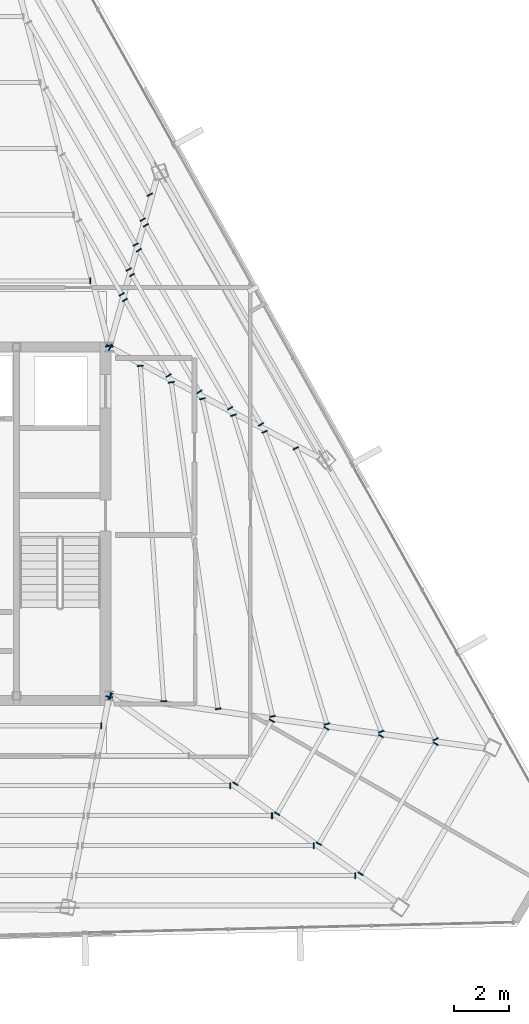
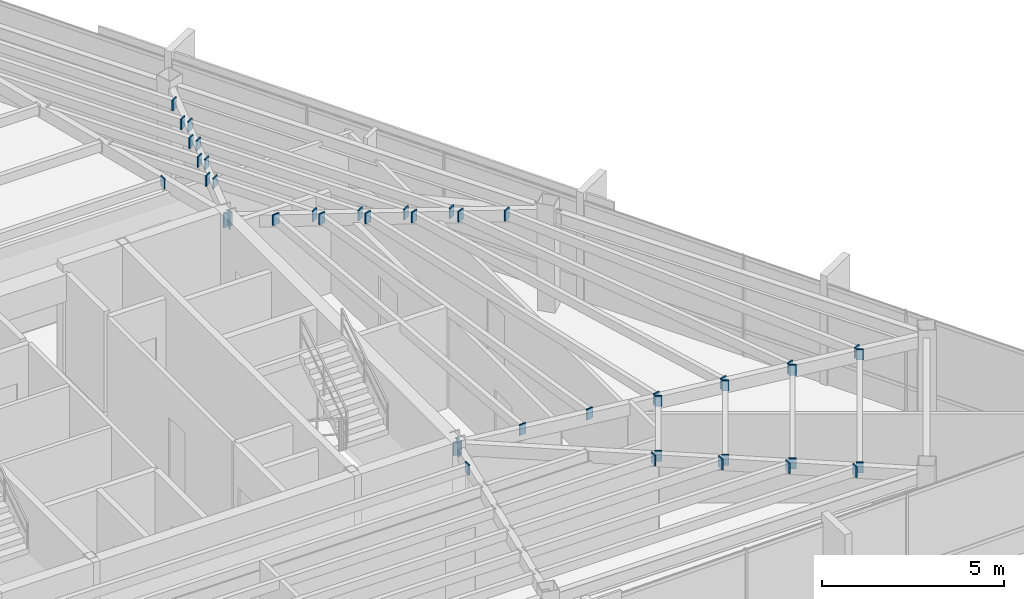
# One storey, part 42 of 48: 45 plates.
"""IFC4 building model written with IfcOpenShell, lengths in metres."""

from ifc_helpers import new_model, si_unit, direction, frame, origin, origin_2d, place, context, subcontext, project, spatial, rectangle, extrude, source, transform, mapped, material, layer, layer_set, type_object, type_shapes, element, save


model = new_model("IFC4")

# Units and contexts
model_context = context("Model", 3, precision=1e-05, world=origin(), true_north=direction((0.0, 1.0)))
body_context = subcontext(model_context, "Body", "Model", "MODEL_VIEW")
ifc_project = project(units=[si_unit("LENGTHUNIT", "METRE"), si_unit("AREAUNIT", "SQUARE_METRE"), si_unit("VOLUMEUNIT", "CUBIC_METRE"), si_unit("PLANEANGLEUNIT", "RADIAN"), si_unit("MASSUNIT", "GRAM", prefix="KILO")], contexts=[model_context])

# Site, building, storey
site_placement = place(None, origin())
site = spatial("IfcSite", under=ifc_project, at=site_placement, CompositionType="ELEMENT")
building_placement = place(site_placement, origin())
building = spatial("IfcBuilding", under=site, at=building_placement, Name="Caelisora Broadcast Tower", CompositionType="ELEMENT")
storey_placement = place(building_placement, frame((0.0, 0.0, 277.300048828125)))
storey = spatial("IfcBuildingStorey", under=building, at=storey_placement, Name="L73", CompositionType="ELEMENT", Elevation=277.300048828125)

# Plates
ifc_material = material(Name="Steel Grade 350 L15 (AS/NZS 3678)", Category="steel")
ifc_layer = layer(ifc_material, 0.0400390625, Name="Steel Grade 350 L15 (AS/NZS 3678)")
ifc_layer_set = layer_set([ifc_layer], Name="Steel Grade 350 L15 (AS/NZS 3678)")
plate_type = type_object("IfcPlateType", Name="GP04", PredefinedType="USERDEFINED", material=ifc_layer_set)
shared_shape_1 = source(origin(), body_context, "Body", "SweptSolid", [
    extrude(rectangle(XDim=0.260009765625, YDim=0.0400390625, at=origin_2d()), origin(), (0.0, 0.0, 1.0), 0.4599609375),
])
for number, where, z_axis, x_axis, name in (
    (1, (45.490234375, 30.038818359375, 2.969970703125), (0.0, 0.0, 1.0), (-0.969316774365, -0.245814952628, 0.0), "L73 gusset plate GP04 (ND-RAD-L73-01)"),
    (2, (45.4921875, 17.360595703125, 2.969970703125), (0.0, 0.0, 1.0), (0.981359807051, -0.192179419046, 0.0), "L73 gusset plate GP04 (ND-RAD-L73-08)"),
    (3, (45.532470703125, 17.376708984375, 2.969970703125), (0.0, 0.0, 1.0), (0.583824646426, 0.811879783112, 0.0), "L73 gusset plate GP04 (ND-RAD-L73-09)"),
    (4, (45.53955078125, 17.394287109375, 2.969970703125), (0.0, 0.0, 1.0), (0.138827423723, 0.990316588987, 0.0), "L73 gusset plate GP04 (ND-RAD-L73-10)"),
    (5, (45.535400390625, 29.981201171875, 2.969970703125), (0.0, 0.0, 1.0), (0.467467011537, 0.884010516411, 0.0), "L73 gusset plate GP04 (ND-RAD-L73-11)"),
    (6, (45.5107421875, 30.03857421875, 2.969970703125), (0.0, 0.0, 1.0), (-0.962549928407, 0.271104473079, 0.0), "L73 gusset plate GP04 (ND-RAD-L73-12)"),
):
    element("IfcPlate", number, at=place(storey_placement, frame(where, z_axis=z_axis, x_axis=x_axis)), inside=storey, type_object=plate_type, Name=name, ObjectType="GUSSET PLATE", PredefinedType="USERDEFINED", context=body_context, shape_type="MappedRepresentation", body=[
        mapped(shared_shape_1, transform((0.0, 0.0, 0.0), scale=1.0)),
    ])
shared_shape_2 = source(origin(), body_context, "Body", "SweptSolid", [
    extrude(rectangle(XDim=0.2099609375, YDim=0.0400390625, at=origin_2d()), origin(), (0.0, 0.0, 1.0), 0.360107421875),
])
type_shapes(plate_type, [shared_shape_1, shared_shape_2])
for number, where, z_axis, x_axis, name in (
    (7, (44.81396484375, 32.38818359375, 3.06982421875), (0.0, 0.0, 1.0), (0.0, -1.0, 0.0), "L73 gusset plate GP04 (ND-SB-L73-001A)"),
    (8, (45.208984375, 16.31689453125, 3.06982421875), (0.0, 0.0, 1.0), (0.0, 1.0, 0.0), "L73 gusset plate GP04 (ND-SB-L73-031B)"),
    (9, (49.870849609375, 14.150634765625, 3.06982421875), (0.0, 0.0, 1.0), (0.0, 1.0, 0.0), "L73 gusset plate GP04 (ND-SB-L73-038B)"),
    (10, (51.377197265625, 13.0673828125, 3.06982421875), (0.0, 0.0, 1.0), (0.0, 1.0, 0.0), "L73 gusset plate GP04 (ND-SB-L73-039B)"),
    (11, (52.883544921875, 11.984375, 3.06982421875), (0.0, 0.0, 1.0), (0.0, 1.0, 0.0), "L73 gusset plate GP04 (ND-SB-L73-040B)"),
    (12, (54.389892578125, 10.9013671875, 3.06982421875), (0.0, 0.0, 1.0), (0.0, 1.0, 0.0), "L73 gusset plate GP04 (ND-SB-L73-041B)"),
    (13, (50.057861328125, 14.2177734375, 3.06982421875), (0.0, 0.0, 1.0), (-0.866025403784, 0.5, 0.0), "L73 gusset plate GP04 (ND-SB-L73-042A)"),
    (14, (51.37353515625, 16.49658203125, 3.06982421875), (0.0, 0.0, 1.0), (-0.866025403784, 0.5, 0.0), "L73 gusset plate GP04 (ND-SB-L73-042B)"),
    (15, (51.564208984375, 13.134765625, 3.06982421875), (0.0, 0.0, 1.0), (-0.866025403784, 0.5, 0.0), "L73 gusset plate GP04 (ND-SB-L73-043A)"),
    (16, (53.345703125, 16.22021484375, 3.06982421875), (0.0, 0.0, 1.0), (-0.866025403784, 0.5, 0.0), "L73 gusset plate GP04 (ND-SB-L73-043B)"),
    (17, (53.070556640625, 12.051513671875, 3.06982421875), (0.0, 0.0, 1.0), (-0.866025403784, 0.5, 0.0), "L73 gusset plate GP04 (ND-SB-L73-044A)"),
    (18, (55.317626953125, 15.943603515625, 3.06982421875), (0.0, 0.0, 1.0), (-0.866025403784, 0.5, 0.0), "L73 gusset plate GP04 (ND-SB-L73-044B)"),
    (19, (54.576904296875, 10.968505859375, 3.06982421875), (0.0, 0.0, 1.0), (-0.866025403784, 0.5, 0.0), "L73 gusset plate GP04 (ND-SB-L73-045A)"),
    (20, (57.28955078125, 15.6669921875, 3.06982421875), (0.0, 0.0, 1.0), (-0.866025403784, 0.5, 0.0), "L73 gusset plate GP04 (ND-SB-L73-045B)"),
    (21, (47.466552734375, 17.202392578125, 3.06982421875), (0.0, 0.0, 1.0), (-0.99756405026, -0.069756473744, 0.0), "L73 gusset plate GP04 (ND-SB-L73-046A)"),
    (22, (46.619384765625, 29.317138671875, 3.06982421875), (0.0, 0.0, 1.0), (-0.99756405026, -0.069756473744, 0.0), "L73 gusset plate GP04 (ND-SB-L73-046B)"),
    (23, (49.4326171875, 16.927001953125, 3.06982421875), (0.0, 0.0, 1.0), (-0.989850775563, -0.142110668555, 0.0), "L73 gusset plate GP04 (ND-SB-L73-047A)"),
    (24, (47.73974609375, 28.7236328125, 3.06982421875), (0.0, 0.0, 1.0), (-0.989850775563, -0.142110668555, 0.0), "L73 gusset plate GP04 (ND-SB-L73-047B)"),
    (25, (51.39794921875, 16.652099609375, 3.06982421875), (0.0, 0.0, 1.0), (-0.976446872546, -0.215757978057, 0.0), "L73 gusset plate GP04 (ND-SB-L73-048A)"),
    (26, (48.861572265625, 28.12939453125, 3.06982421875), (0.0, 0.0, 1.0), (-0.976446872546, -0.215757978057, 0.0), "L73 gusset plate GP04 (ND-SB-L73-048B)"),
    (27, (53.36279296875, 16.377197265625, 3.06982421875), (0.0, 0.0, 1.0), (-0.957117481996, -0.289700061544, 0.0), "L73 gusset plate GP04 (ND-SB-L73-049A)"),
    (28, (49.985107421875, 27.5341796875, 3.06982421875), (0.0, 0.0, 1.0), (-0.957117481996, -0.289700061544, 0.0), "L73 gusset plate GP04 (ND-SB-L73-049B)"),
    (29, (55.326904296875, 16.102294921875, 3.06982421875), (0.0, 0.0, 1.0), (-0.931944597717, -0.362600698822, 0.0), "L73 gusset plate GP04 (ND-SB-L73-050A)"),
    (30, (51.11083984375, 26.9375, 3.06982421875), (0.0, 0.0, 1.0), (-0.931944597717, -0.362600698822, 0.0), "L73 gusset plate GP04 (ND-SB-L73-050B)"),
    (31, (57.289794921875, 15.827880859375, 3.06982421875), (0.0, 0.0, 1.0), (-0.901379552865, -0.433029908525, 0.0), "L73 gusset plate GP04 (ND-SB-L73-051A)"),
    (32, (52.2392578125, 26.33935546875, 3.06982421875), (0.0, 0.0, 1.0), (-0.901379552865, -0.433029908525, 0.0), "L73 gusset plate GP04 (ND-SB-L73-051B)"),
    (33, (47.64306640625, 28.96630859375, 3.06982421875), (0.0, 0.0, 1.0), (-0.866025403784, -0.5, 0.0), "L73 gusset plate GP04 (ND-SB-L73-052A)"),
    (34, (46.065185546875, 31.698974609375, 3.06982421875), (0.0, 0.0, 1.0), (-0.866025403784, -0.5, 0.0), "L73 gusset plate GP04 (ND-SB-L73-052B)"),
    (35, (48.755615234375, 28.3779296875, 3.06982421875), (0.0, 0.0, 1.0), (-0.866025403784, -0.5, 0.0), "L73 gusset plate GP04 (ND-SB-L73-053A)"),
    (36, (46.31884765625, 32.598876953125, 3.06982421875), (0.0, 0.0, 1.0), (-0.866025403784, -0.5, 0.0), "L73 gusset plate GP04 (ND-SB-L73-053B)"),
    (37, (49.868408203125, 27.789794921875, 3.06982421875), (0.0, 0.0, 1.0), (-0.866025403784, -0.5, 0.0), "L73 gusset plate GP04 (ND-SB-L73-054A)"),
    (38, (46.572265625, 33.498779296875, 3.06982421875), (0.0, 0.0, 1.0), (-0.866025403784, -0.5, 0.0), "L73 gusset plate GP04 (ND-SB-L73-054B)"),
    (39, (50.981201171875, 27.201416015625, 3.06982421875), (0.0, 0.0, 1.0), (-0.866025403784, -0.5, 0.0), "L73 gusset plate GP04 (ND-SB-L73-055A)"),
    (40, (46.82568359375, 34.39892578125, 3.06982421875), (0.0, 0.0, 1.0), (-0.866025403784, -0.5, 0.0), "L73 gusset plate GP04 (ND-SB-L73-055B)"),
    (41, (45.948486328125, 31.90087890625, 3.06982421875), (0.0, 0.0, 1.0), (-0.866025403784, -0.5, 0.0), "L73 gusset plate GP04 (ND-SB-L73-056A)"),
    (42, (46.2021484375, 32.801025390625, 3.06982421875), (0.0, 0.0, 1.0), (-0.866025403784, -0.5, 0.0), "L73 gusset plate GP04 (ND-SB-L73-057A)"),
    (43, (46.45556640625, 33.700927734375, 3.06982421875), (0.0, 0.0, 1.0), (-0.866025403784, -0.5, 0.0), "L73 gusset plate GP04 (ND-SB-L73-058A)"),
    (44, (46.708984375, 34.60107421875, 3.06982421875), (0.0, 0.0, 1.0), (-0.866025403784, -0.5, 0.0), "L73 gusset plate GP04 (ND-SB-L73-059A)"),
    (45, (46.962646484375, 35.5009765625, 3.06982421875), (0.0, 0.0, 1.0), (-0.866025403784, -0.5, 0.0), "L73 gusset plate GP04 (ND-SB-L73-060A)"),
):
    element("IfcPlate", number, at=place(storey_placement, frame(where, z_axis=z_axis, x_axis=x_axis)), inside=storey, type_object=plate_type, Name=name, ObjectType="GUSSET PLATE", PredefinedType="USERDEFINED", context=body_context, shape_type="MappedRepresentation", body=[
        mapped(shared_shape_2, transform((0.0, 0.0, 0.0), scale=1.0)),
    ])

save(model, "model.ifc")
